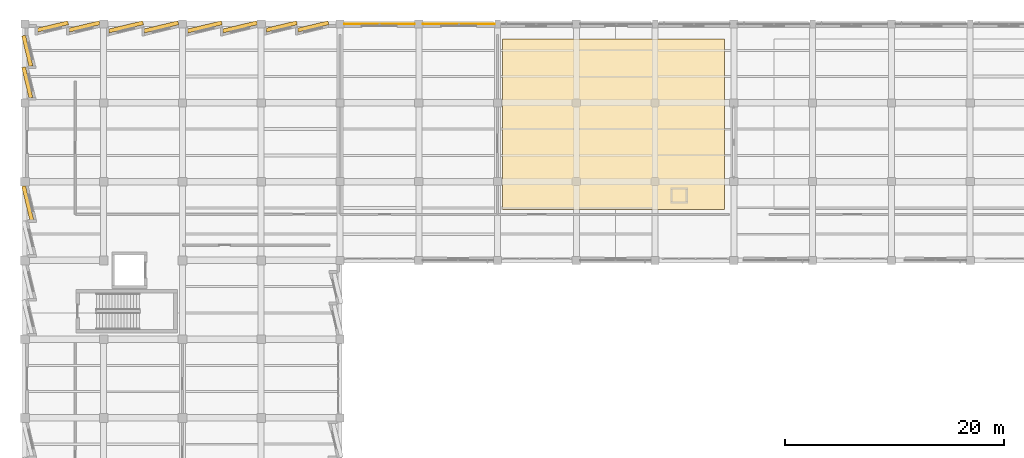
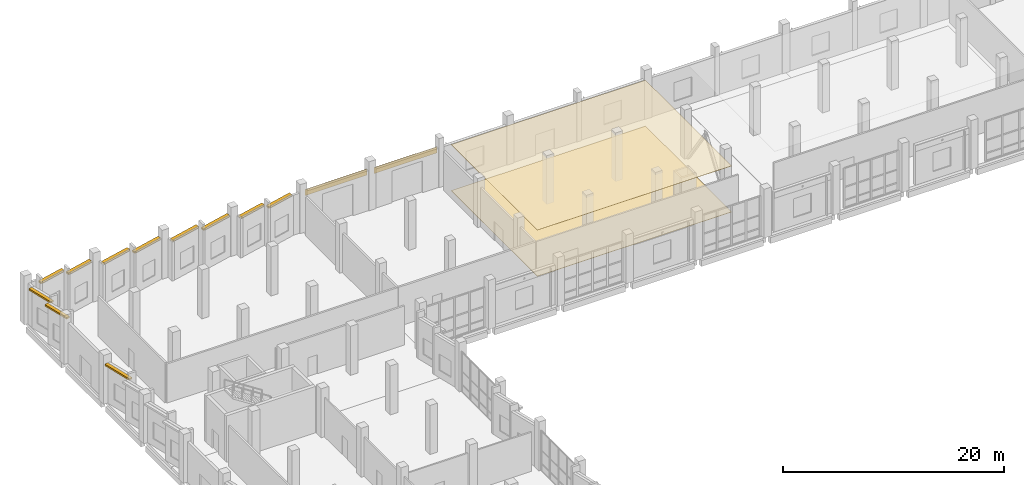
# One storey, part 128 of 137: 11 shading devices, 4 coverings.
"""IFC4 building model written with IfcOpenShell, lengths in metres."""

from ifc_helpers import new_model, si_unit, direction, frame, origin, origin_2d, place, context, subcontext, project, spatial, polyline, rectangle, outline, extrude, material, layer, layer_set, type_object, element, save


model = new_model("IFC4")

# Units and contexts
model_context = context("Model", 3, precision=1e-05, world=origin(), true_north=direction((0.0, 1.0)))
body_context = subcontext(model_context, "Body", "Model", "MODEL_VIEW")
ifc_project = project(units=[si_unit("LENGTHUNIT", "METRE"), si_unit("AREAUNIT", "SQUARE_METRE"), si_unit("VOLUMEUNIT", "CUBIC_METRE"), si_unit("PLANEANGLEUNIT", "RADIAN"), si_unit("MASSUNIT", "GRAM", prefix="KILO")], contexts=[model_context])

# Site, building, storey
site_placement = place(None, origin())
site = spatial("IfcSite", under=ifc_project, at=site_placement, CompositionType="ELEMENT")
building_placement = place(site_placement, origin())
building = spatial("IfcBuilding", under=site, at=building_placement, Name="Kalmorath City Hall", CompositionType="ELEMENT")
storey_placement = place(building_placement, origin())
storey = spatial("IfcBuildingStorey", under=building, at=storey_placement, Name="L00", CompositionType="ELEMENT", Elevation=0.0)

# Coverings
ifc_material_1 = material(Name="Perforated acoustic gypsum ceiling")
ifc_layer_1 = layer(ifc_material_1, 0.0400390625)
ifc_layer_set_1 = layer_set([ifc_layer_1], Name="Perforated acoustic gypsum ceiling")
covering_type_1 = type_object("IfcCoveringType", Name="Perforated acoustic suspended ceiling 40", PredefinedType="CEILING", material=ifc_layer_set_1)
covering_1_placement = place(storey_placement, frame((0.0, 0.0, 5.080078125)))
element("IfcCovering", 1, at=covering_1_placement, inside=storey, type_object=covering_type_1, Name="L00 Committee Room 1 (Zoning and Land Use) acoustic ceiling", PredefinedType="CEILING", context=body_context, shape_type="SweptSolid", body=[
    extrude(outline(polyline([(63.949951171875, 113.85009765625), (63.949951171875, 98.25), (43.64990234375, 98.25), (43.64990234375, 113.85009765625), (63.949951171875, 113.85009765625)])), origin(), (0.0, 0.0, 1.0), 0.0400390625),
])
ifc_material_2 = material(Name="Polished terrazzo finish")
ifc_layer_2 = layer(ifc_material_2, 0.034912109375)
ifc_layer_set_2 = layer_set([ifc_layer_2], Name="Polished terrazzo finish")
covering_type_2 = type_object("IfcCoveringType", Name="Polished civic terrazzo floor finish 35", PredefinedType="FLOORING", material=ifc_layer_set_2)
covering_2_placement = place(storey_placement, origin())
element("IfcCovering", 2, at=covering_2_placement, inside=storey, type_object=covering_type_2, Name="L00 Committee Room 1 (Zoning and Land Use) terrazzo flooring", PredefinedType="FLOORING", context=body_context, shape_type="SweptSolid", body=[
    extrude(outline(polyline([(63.949951171875, 113.85009765625), (63.949951171875, 98.25), (43.64990234375, 98.25), (43.64990234375, 113.85009765625), (63.949951171875, 113.85009765625)])), origin(), (0.0, 0.0, 1.0), 0.034912109375),
])

# Shading devices
ifc_material_3 = material(Name="Precast concrete C40/50", Category="concrete")
ifc_layer_3 = layer(ifc_material_3, 0.179931640625)
ifc_layer_set_3 = layer_set([ifc_layer_3], Name="Precast concrete C40/50")
shading_device_type = type_object("IfcShadingDeviceType", Name="Precast sawtooth brow sunshade 350", PredefinedType="USERDEFINED", material=ifc_layer_set_3)
shading_device_placement = place(storey_placement, frame((0.2529296875, 98.845703125, 4.2509765625), z_axis=(0.0, 0.0, 1.0), x_axis=(-0.233445363856, 0.972369920398, 0.0)))
element("IfcShadingDevice", 3, at=shading_device_placement, inside=storey, type_object=shading_device_type, Name="L00 precast sawtooth hood #22", ObjectType="SUNSHADE", PredefinedType="USERDEFINED", context=body_context, shape_type="SweptSolid", body=[
    extrude(rectangle(XDim=3.19482421875, YDim=0.360107421875, at=origin_2d()), origin(), (0.0, 0.0, 1.0), 0.179931640625),
])
for number, where, z_axis, x_axis, name in (
    (4, (0.215087890625, 109.8642578125, 4.2509765625), (0.0, 0.0, 1.0), (-0.233445363856, 0.972369920398, 0.0), "L00 precast sawtooth hood #23"),
    (5, (0.215087890625, 112.748291015625, 4.2509765625), (0.0, 0.0, 1.0), (-0.233445363856, 0.972369920398, 0.0), "L00 precast sawtooth hood #24"),
    (6, (2.544189453125, 114.98486328125, 4.201171875), (0.0, 0.0, 1.0), (0.972369920398, 0.233445363856, 0.0), "L00 precast sawtooth hood #25"),
    (7, (5.42822265625, 114.98486328125, 4.201171875), (0.0, 0.0, 1.0), (0.972369920398, 0.233445363856, 0.0), "L00 precast sawtooth hood #26"),
):
    element("IfcShadingDevice", number, at=place(storey_placement, frame(where, z_axis=z_axis, x_axis=x_axis)), inside=storey, type_object=shading_device_type, Name=name, ObjectType="SUNSHADE", PredefinedType="USERDEFINED", context=body_context, shape_type="SweptSolid", body=[
        extrude(rectangle(XDim=2.87109375, YDim=0.360107421875, at=origin_2d()), origin(), (0.0, 0.0, 1.0), 0.179931640625),
    ])
for number, where, z_axis, x_axis, name in (
    (8, (9.234130859375, 114.944091796875, 4.10107421875), (0.0, 0.0, 1.0), (0.972369920398, 0.233445363856, 0.0), "L00 precast sawtooth hood #27"),
    (9, (12.458251953125, 114.944091796875, 4.201171875), (0.0, 0.0, 1.0), (0.972369920398, 0.233445363856, 0.0), "L00 precast sawtooth hood #28"),
    (10, (16.43408203125, 114.944091796875, 4.10107421875), (0.0, 0.0, 1.0), (0.972369920398, 0.233445363856, 0.0), "L00 precast sawtooth hood #29"),
    (11, (19.658203125, 114.944091796875, 4.201171875), (0.0, 0.0, 1.0), (0.972369920398, 0.233445363856, 0.0), "L00 precast sawtooth hood #30"),
):
    element("IfcShadingDevice", number, at=place(storey_placement, frame(where, z_axis=z_axis, x_axis=x_axis)), inside=storey, type_object=shading_device_type, Name=name, ObjectType="SUNSHADE", PredefinedType="USERDEFINED", context=body_context, shape_type="SweptSolid", body=[
        extrude(rectangle(XDim=3.220703125, YDim=0.360107421875, at=origin_2d()), origin(), (0.0, 0.0, 1.0), 0.179931640625),
    ])
for number, where, z_axis, x_axis, name in (
    (12, (23.464111328125, 114.98486328125, 4.10107421875), (0.0, 0.0, 1.0), (0.972369920398, 0.233445363856, 0.0), "L00 precast sawtooth hood #31"),
    (13, (26.34814453125, 114.98486328125, 4.201171875), (0.0, 0.0, 1.0), (0.972369920398, 0.233445363856, 0.0), "L00 precast sawtooth hood #32"),
):
    element("IfcShadingDevice", number, at=place(storey_placement, frame(where, z_axis=z_axis, x_axis=x_axis)), inside=storey, type_object=shading_device_type, Name=name, ObjectType="SUNSHADE", PredefinedType="USERDEFINED", context=body_context, shape_type="SweptSolid", body=[
        extrude(rectangle(XDim=2.87109375, YDim=0.360107421875, at=origin_2d()), origin(), (0.0, 0.0, 1.0), 0.179931640625),
    ])

# Coverings
ifc_material_4 = material(Name="Volcanic basalt stone cladding", Category="masonry")
ifc_layer_4 = layer(ifc_material_4, 0.06005859375)
ifc_layer_set_4 = layer_set([ifc_layer_4], Name="Volcanic basalt stone cladding")
covering_type_3 = type_object("IfcCoveringType", Name="Volcanic basalt stone rainscreen cladding", PredefinedType="CLADDING", material=ifc_layer_set_4)
covering_3_placement = place(storey_placement, frame((32.39990234375, 115.205078125, 3.736083984375), z_axis=(0.0, 0.0, 1.0), x_axis=(1.0, 0.0, 0.0)))
element("IfcCovering", 14, at=covering_3_placement, inside=storey, type_object=covering_type_3, Name="L00 basalt spandrel cladding #1", PredefinedType="CLADDING", context=body_context, shape_type="SweptSolid", body=[
    extrude(rectangle(XDim=6.447998046875, YDim=0.06005859375, at=origin_2d()), origin(), (0.0, 0.0, 1.0), 0.64990234375),
])
covering_4_placement = place(storey_placement, frame((39.66259765625, 115.205078125, 3.635986328125), z_axis=(0.0, 0.0, 1.0), x_axis=(1.0, 0.0, 0.0)))
element("IfcCovering", 15, at=covering_4_placement, inside=storey, type_object=covering_type_3, Name="L00 basalt spandrel cladding #2", PredefinedType="CLADDING", context=body_context, shape_type="SweptSolid", body=[
    extrude(rectangle(XDim=6.572998046875, YDim=0.06005859375, at=origin_2d()), origin(), (0.0, 0.0, 1.0), 0.64990234375),
])

save(model, "model.ifc")
